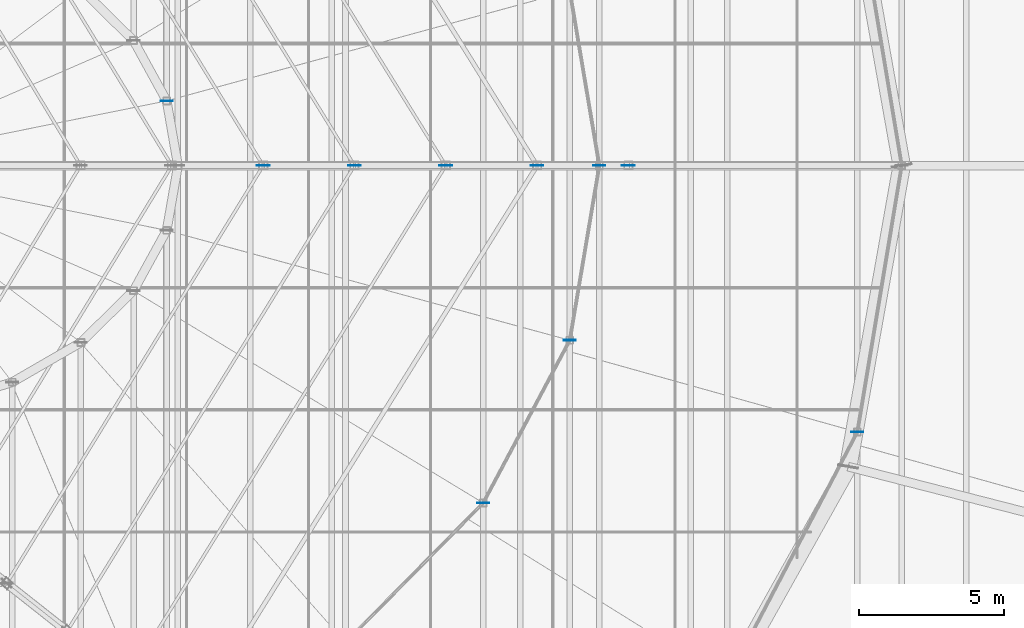
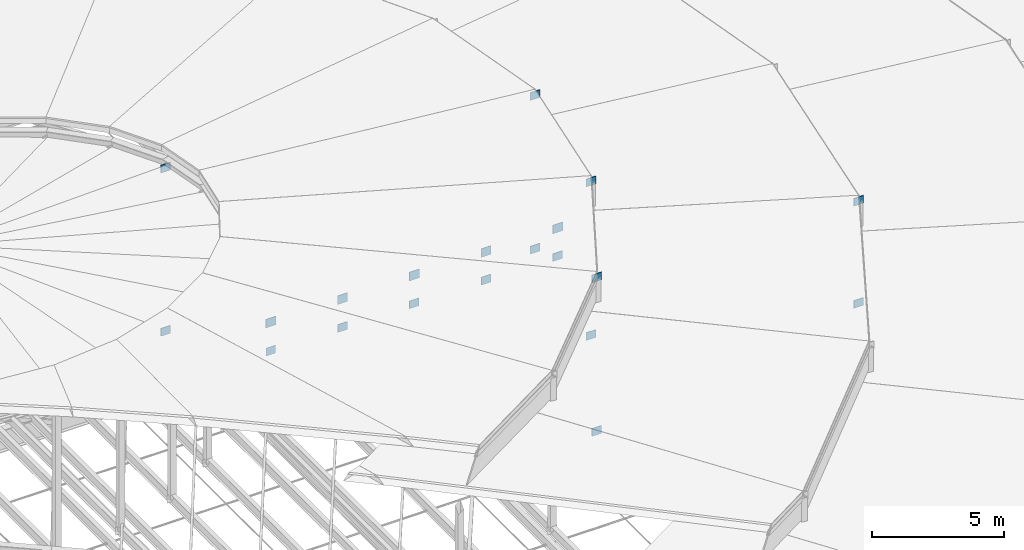
# One storey, part 169 of 184: 20 plates.
"""IFC4 building model written with IfcOpenShell, lengths in metres."""

from ifc_helpers import new_model, si_unit, direction, frame, origin, origin_2d, place, context, subcontext, project, spatial, rectangle, extrude, material, layer, layer_set, type_object, element, save


model = new_model("IFC4")

# Units and contexts
model_context = context("Model", 3, precision=1e-05, world=origin(), true_north=direction((0.0, 1.0)))
body_context = subcontext(model_context, "Body", "Model", "MODEL_VIEW")
ifc_project = project(units=[si_unit("LENGTHUNIT", "METRE"), si_unit("AREAUNIT", "SQUARE_METRE"), si_unit("VOLUMEUNIT", "CUBIC_METRE"), si_unit("PLANEANGLEUNIT", "RADIAN"), si_unit("MASSUNIT", "GRAM", prefix="KILO")], contexts=[model_context])

# Site, building, storey
site_placement = place(None, origin())
site = spatial("IfcSite", under=ifc_project, at=site_placement, CompositionType="ELEMENT")
building_placement = place(site_placement, origin())
building = spatial("IfcBuilding", under=site, at=building_placement, Name="Kalgoora Escarpment Arena", CompositionType="ELEMENT")
storey_placement = place(building_placement, frame((0.0, 0.0, 27.60009765625)))
storey = spatial("IfcBuildingStorey", under=building, at=storey_placement, Name="Roof Level", CompositionType="ELEMENT", Elevation=27.60009765625)

# Plates
ifc_material = material(Name="Structural steel Grade 350 (350 MPa)", Category="steel")
ifc_layer = layer(ifc_material, 0.02490234375)
ifc_layer_set = layer_set([ifc_layer], Name="PLT-GUSSET-25")
plate_type = type_object("IfcPlateType", Name="PLT-GUSSET-25", PredefinedType="USERDEFINED", material=ifc_layer_set)
for number, where, z_axis, x_axis, name in (
    (1, (137.0, 64.0, -0.550048828125), (0.0, 0.0, 1.0), (-1.0, 0.0, 0.0), "Radial ROOF TRUSS node gusset plate S1-1"),
    (2, (133.860107421875, 64.0, -0.5400390625), (0.0, 0.0, 1.0), (-1.0, 0.0, 0.0), "Radial ROOF TRUSS node gusset plate S1-2"),
    (3, (130.719970703125, 64.0, -0.530029296875), (0.0, 0.0, 1.0), (-1.0, 0.0, 0.0), "Radial ROOF TRUSS node gusset plate S1-3"),
    (4, (127.580078125, 64.0, -0.52001953125), (0.0, 0.0, 1.0), (-1.0, 0.0, 0.0), "Radial ROOF TRUSS node gusset plate S1-4"),
    (5, (124.43994140625, 64.0, -0.510009765625), (0.0, 0.0, 1.0), (-1.0, 0.0, 0.0), "Radial ROOF TRUSS node gusset plate S1-5"),
):
    element("IfcPlate", number, at=place(storey_placement, frame(where, z_axis=z_axis, x_axis=x_axis)), inside=storey, type_object=plate_type, Name=name, ObjectType="FLANGE PLATE", PredefinedType="USERDEFINED", context=body_context, shape_type="SweptSolid", body=[
        extrude(rectangle(XDim=0.43994140625, YDim=0.02490234375, at=origin_2d()), origin(), (0.0, 0.0, 1.0), 0.39990234375),
    ])
for number, where, z_axis, x_axis, name in (
    (6, (137.0, 64.0, -1.830078125), (0.0, 0.0, 1.0), (1.0, 0.0, 0.0), "Brace and post end gusset plate 068"),
    (7, (133.860107421875, 64.0, -1.8251953125), (0.0, 0.0, 1.0), (1.0, 0.0, 0.0), "Brace and post end gusset plate 069"),
    (8, (130.719970703125, 64.0, -1.8203125), (0.0, 0.0, 1.0), (1.0, 0.0, 0.0), "Brace and post end gusset plate 070"),
    (9, (127.580078125, 64.0, -1.81494140625), (0.0, 0.0, 1.0), (1.0, 0.0, 0.0), "Brace and post end gusset plate 071"),
    (10, (124.43994140625, 64.0, -1.81005859375), (0.0, 0.0, 1.0), (1.0, 0.0, 0.0), "Brace and post end gusset plate 072"),
    (11, (144.87353515625, 54.837890625, -1.2001953125), (0.0, 0.0, 1.0), (1.0, 0.0, 0.0), "Brace and post end gusset plate 272"),
    (12, (144.87353515625, 54.837890625, 3.52490234375), (0.0, 0.0, 1.0), (1.0, 0.0, 0.0), "Brace and post end gusset plate 273"),
    (13, (136.0, 64.0, -1.14013671875), (0.0, 0.0, 1.0), (1.0, 0.0, 0.0), "Brace and post end gusset plate 274"),
    (14, (136.0, 64.0, 5.96484375), (0.0, 0.0, 1.0), (1.0, 0.0, 0.0), "Brace and post end gusset plate 275"),
    (15, (132.007568359375, 52.39990234375, -1.14013671875), (0.0, 0.0, 1.0), (1.0, 0.0, 0.0), "Brace and post end gusset plate 318"),
    (16, (132.007568359375, 52.39990234375, 5.96484375), (0.0, 0.0, 1.0), (1.0, 0.0, 0.0), "Brace and post end gusset plate 319"),
    (17, (134.984619140625, 57.995361328125, -1.14013671875), (0.0, 0.0, 1.0), (1.0, 0.0, 0.0), "Brace and post end gusset plate 320"),
    (18, (134.984619140625, 57.995361328125, 5.96484375), (0.0, 0.0, 1.0), (1.0, 0.0, 0.0), "Brace and post end gusset plate 321"),
    (19, (121.12158203125, 66.225830078125, -1.080078125), (0.0, 0.0, 1.0), (1.0, 0.0, 0.0), "Brace and post end gusset plate 324"),
    (20, (121.12158203125, 66.225830078125, 6.4697265625), (0.0, 0.0, 1.0), (1.0, 0.0, 0.0), "Brace and post end gusset plate 325"),
):
    element("IfcPlate", number, at=place(storey_placement, frame(where, z_axis=z_axis, x_axis=x_axis)), inside=storey, type_object=plate_type, Name=name, ObjectType="FLANGE PLATE", PredefinedType="USERDEFINED", context=body_context, shape_type="SweptSolid", body=[
        extrude(rectangle(XDim=0.419921875, YDim=0.02490234375, at=origin_2d()), origin(), (0.0, 0.0, 1.0), 0.360107421875),
    ])

save(model, "model.ifc")
